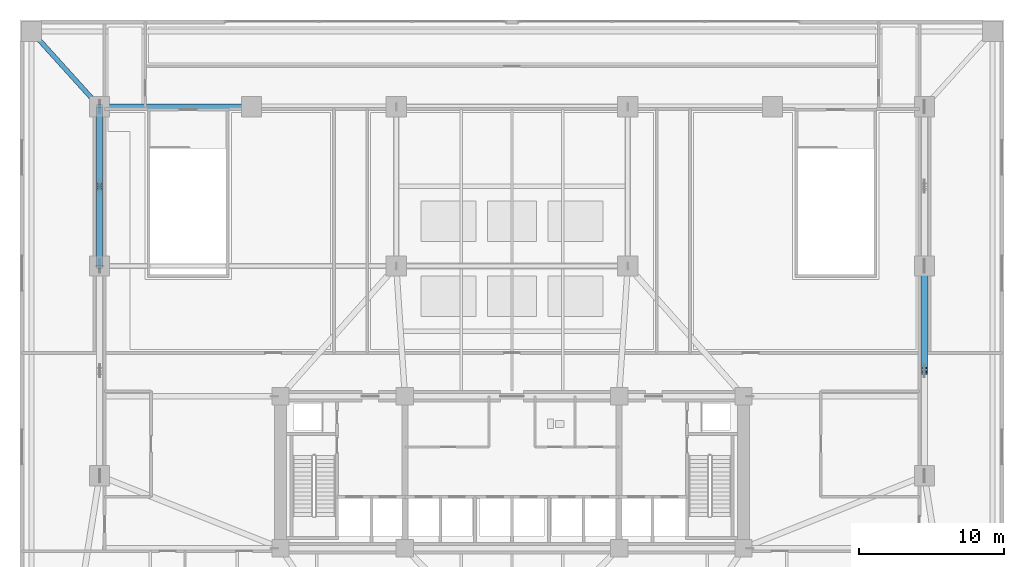
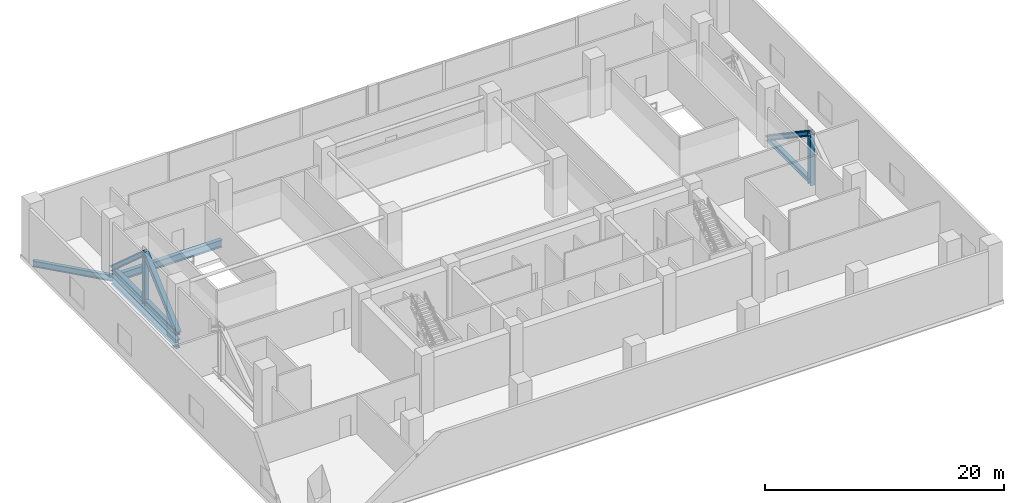
# One storey, part 2 of 16: 8 members, 3 beams.
"""IFC4 building model written with IfcOpenShell, lengths in metres."""

from ifc_helpers import new_model, si_unit, direction, frame, origin, origin_2d, place, context, subcontext, project, spatial, i_section, extrude, material, material_profile, profile_set, type_object, element, save


model = new_model("IFC4")

# Units and contexts
model_context = context("Model", 3, precision=1e-05, world=origin(), true_north=direction((0.0, 1.0)))
body_context = subcontext(model_context, "Body", "Model", "MODEL_VIEW")
ifc_project = project(units=[si_unit("LENGTHUNIT", "METRE"), si_unit("AREAUNIT", "SQUARE_METRE"), si_unit("VOLUMEUNIT", "CUBIC_METRE"), si_unit("PLANEANGLEUNIT", "RADIAN"), si_unit("MASSUNIT", "GRAM", prefix="KILO")], contexts=[model_context])

# Site, building, storey
site_placement = place(None, origin())
site = spatial("IfcSite", under=ifc_project, at=site_placement, CompositionType="ELEMENT")
building_placement = place(site_placement, origin())
building = spatial("IfcBuilding", under=site, at=building_placement, Name="Solmavex Isthmus Hotel", CompositionType="ELEMENT")
storey_placement = place(building_placement, frame((0.0, 0.0, 20.39990234375)))
storey = spatial("IfcBuildingStorey", under=building, at=storey_placement, Name="L05", CompositionType="ELEMENT", Elevation=20.39990234375)

# Beams
ifc_material_1 = material(Name="Steel ASTM A992 Grade 50", Category="steel")
ifc_material_profile_1 = material_profile(ifc_material_1, i_section(OverallWidth=0.380615234375, OverallDepth=0.773193359375, WebThickness=0.0166015625, FlangeThickness=0.027099609375, FilletRadius=0.01904296875, at=origin_2d()), Name="W30X173")
ifc_profile_set_1 = profile_set([ifc_material_profile_1], Name="Steel ASTM A992 Grade 50")
beam_type_1 = type_object("IfcBeamType", Name="BM-BG-W30X173", PredefinedType="BEAM", material=ifc_profile_set_1)
beam_1_placement = place(storey_placement, frame((-28.5, 17.5, -0.736572265625), z_axis=(1.0, 0.0, 0.0), x_axis=(0.0, 1.0, 0.0)))
element("IfcBeam", 1, at=beam_1_placement, inside=storey, type_object=beam_type_1, Name="Podium Primary Girder L05-G07", PredefinedType="BEAM", context=body_context, shape_type="SweptSolid", body=[
    extrude(i_section(OverallWidth=0.380615234375, OverallDepth=0.773193359375, WebThickness=0.0166015625, FlangeThickness=0.027099609375, FilletRadius=0.01904296875, at=origin_2d()), origin(), (0.0, 0.0, 1.0), 10.5),
])
ifc_material_profile_2 = material_profile(ifc_material_1, i_section(OverallWidth=0.39990234375, OverallDepth=0.85546875, WebThickness=0.018310546875, FlangeThickness=0.029296875, FilletRadius=0.020263671875, at=origin_2d()), Name="W33X201")
ifc_profile_set_2 = profile_set([ifc_material_profile_2], Name="Steel ASTM A992 Grade 50")
beam_type_2 = type_object("IfcBeamType", Name="BM-BG-W33X201", PredefinedType="BEAM", material=ifc_profile_set_2)
beam_2_placement = place(storey_placement, frame((-28.5, 6.5, -0.777587890625), z_axis=(0.0, 1.0, 0.0), x_axis=(-1.0, 0.0, 0.0)))
element("IfcBeam", 2, at=beam_2_placement, inside=storey, type_object=beam_type_2, Name="Podium Primary Girder L05-G14", PredefinedType="BEAM", context=body_context, shape_type="SweptSolid", body=[
    extrude(i_section(OverallWidth=0.39990234375, OverallDepth=0.85546875, WebThickness=0.018310546875, FlangeThickness=0.029296875, FilletRadius=0.020263671875, at=origin_2d()), origin(), (0.0, 0.0, 1.0), 11.0),
])
ifc_material_profile_3 = material_profile(ifc_material_1, i_section(OverallWidth=0.326416015625, OverallDepth=0.621826171875, WebThickness=0.015380859375, FlangeThickness=0.0244140625, FilletRadius=0.01513671875, at=origin_2d()), Name="W24X131")
ifc_profile_set_3 = profile_set([ifc_material_profile_3], Name="Steel ASTM A992 Grade 50")
beam_type_3 = type_object("IfcBeamType", Name="BM-SP-W24X131", PredefinedType="SPANDREL", material=ifc_profile_set_3)
beam_3_placement = place(storey_placement, frame((-33.199951171875, 22.699951171875, -0.660888671875), z_axis=(0.670539300557, -0.741874009795, 0.0), x_axis=(0.741874009795, 0.670539300557, 0.0)))
element("IfcBeam", 3, at=beam_3_placement, inside=storey, type_object=beam_type_3, Name="Podium Corner Perimeter Girder L05-CR05", PredefinedType="SPANDREL", context=body_context, shape_type="SweptSolid", body=[
    extrude(i_section(OverallWidth=0.326416015625, OverallDepth=0.621826171875, WebThickness=0.015380859375, FlangeThickness=0.0244140625, FilletRadius=0.01513671875, at=origin_2d()), origin(), (0.0, 0.0, 1.0), 7.00927734375),
])

# Members
ifc_material_2 = material(Name="Steel ASTM A913 Grade 65", Category="steel")
ifc_material_profile_4 = material_profile(ifc_material_2, i_section(OverallWidth=0.412109375, OverallDepth=0.434814453125, WebThickness=0.035888671875, FlangeThickness=0.057373046875, FilletRadius=0.030517578125, at=origin_2d()), Name="W14X311")
ifc_profile_set_4 = profile_set([ifc_material_profile_4], Name="Steel ASTM A913 Grade 65")
member_type_1 = type_object("IfcMemberType", Name="MEM-TC-W14X311", PredefinedType="CHORD", material=ifc_profile_set_4)
for number, where, z_axis, x_axis, name in (
    (4, (-28.5, 6.5, 0.35009765625), (0.0, 1.0, 0.0), (-1.0, 0.0, 0.0), "Ballroom Transfer Truss Bottom Chord BT-L05-W-03"),
    (5, (-28.5, 12.0, 0.35009765625), (0.0, 1.0, 0.0), (-1.0, 0.0, 0.0), "Ballroom Transfer Truss Bottom Chord BT-L05-W-04"),
):
    element("IfcMember", number, at=place(storey_placement, frame(where, z_axis=z_axis, x_axis=x_axis)), inside=storey, type_object=member_type_1, Name=name, PredefinedType="CHORD", context=body_context, shape_type="SweptSolid", body=[
        extrude(i_section(OverallWidth=0.412109375, OverallDepth=0.434814453125, WebThickness=0.035888671875, FlangeThickness=0.057373046875, FilletRadius=0.030517578125, at=origin_2d()), origin(), (0.0, 0.0, 1.0), 5.5),
    ])
member_1_placement = place(storey_placement, frame((28.5, -0.75, 0.35009765625), z_axis=(0.0, 1.0, 0.0), x_axis=(-1.0, 0.0, 0.0)))
element("IfcMember", 6, at=member_1_placement, inside=storey, type_object=member_type_1, Name="Ballroom Transfer Truss Bottom Chord BT-L05-E-06", PredefinedType="CHORD", context=body_context, shape_type="SweptSolid", body=[
    extrude(i_section(OverallWidth=0.412109375, OverallDepth=0.434814453125, WebThickness=0.035888671875, FlangeThickness=0.057373046875, FilletRadius=0.030517578125, at=origin_2d()), origin(), (0.0, 0.0, 1.0), 7.25),
])
ifc_material_profile_5 = material_profile(ifc_material_2, i_section(OverallWidth=0.43212890625, OverallDepth=0.497802734375, WebThickness=0.0556640625, FlangeThickness=0.0888671875, FilletRadius=0.030517578125, at=origin_2d()), Name="W14X500")
ifc_profile_set_5 = profile_set([ifc_material_profile_5], Name="Steel ASTM A913 Grade 65")
member_type_2 = type_object("IfcMemberType", Name="MEM-TM-W14X500", PredefinedType="BRACE", material=ifc_profile_set_5)
for number, where, z_axis, x_axis, name in (
    (7, (-28.5, 6.5, 0.35009765625), (0.0, 0.746666427997, 0.665198651008), (-1.0, 0.0, 0.0), "Ballroom Transfer Truss Diagonal Brace BT-L05-W-03"),
    (8, (-28.5, 12.0, 5.25), (0.0, 0.746666427997, -0.665198651008), (-1.0, 0.0, 0.0), "Ballroom Transfer Truss Diagonal Brace BT-L05-W-04"),
):
    element("IfcMember", number, at=place(storey_placement, frame(where, z_axis=z_axis, x_axis=x_axis)), inside=storey, type_object=member_type_2, Name=name, PredefinedType="BRACE", context=body_context, shape_type="SweptSolid", body=[
        extrude(i_section(OverallWidth=0.43212890625, OverallDepth=0.497802734375, WebThickness=0.0556640625, FlangeThickness=0.0888671875, FilletRadius=0.030517578125, at=origin_2d()), origin(), (0.0, 0.0, 1.0), 7.365966796875),
    ])
member_2_placement = place(storey_placement, frame((28.5, -0.75, 5.25), z_axis=(0.0, 0.828522500638, -0.559955771411), x_axis=(-1.0, 0.0, 0.0)))
element("IfcMember", 9, at=member_2_placement, inside=storey, type_object=member_type_2, Name="Ballroom Transfer Truss Diagonal Brace BT-L05-E-06", PredefinedType="BRACE", context=body_context, shape_type="SweptSolid", body=[
    extrude(i_section(OverallWidth=0.43212890625, OverallDepth=0.497802734375, WebThickness=0.0556640625, FlangeThickness=0.0888671875, FilletRadius=0.030517578125, at=origin_2d()), origin(), (0.0, 0.0, 1.0), 8.75048828125),
])
ifc_material_profile_6 = material_profile(ifc_material_2, i_section(OverallWidth=0.424072265625, OverallDepth=0.47412109375, WebThickness=0.047607421875, FlangeThickness=0.0771484375, FilletRadius=0.030517578125, at=origin_2d()), Name="W14X426")
ifc_profile_set_6 = profile_set([ifc_material_profile_6], Name="Steel ASTM A913 Grade 65")
member_type_3 = type_object("IfcMemberType", Name="MEM-TP-W14X426", PredefinedType="POST", material=ifc_profile_set_6)
for number, where, z_axis, x_axis, name in (
    (10, (-28.5, 12.0, 0.0), (0.0, 0.0, 1.0), (1.0, 0.0, 0.0), "Ballroom Transfer Truss Vertical Post BT-L05-W-04"),
    (11, (28.5, -0.75, 0.0), (0.0, 0.0, 1.0), (1.0, 0.0, 0.0), "Ballroom Transfer Truss Vertical Post BT-L05-E-06"),
):
    element("IfcMember", number, at=place(storey_placement, frame(where, z_axis=z_axis, x_axis=x_axis)), inside=storey, type_object=member_type_3, Name=name, PredefinedType="POST", context=body_context, shape_type="SweptSolid", body=[
        extrude(i_section(OverallWidth=0.424072265625, OverallDepth=0.47412109375, WebThickness=0.047607421875, FlangeThickness=0.0771484375, FilletRadius=0.030517578125, at=origin_2d()), origin(), (0.0, 0.0, 1.0), 5.25),
    ])

save(model, "model.ifc")
